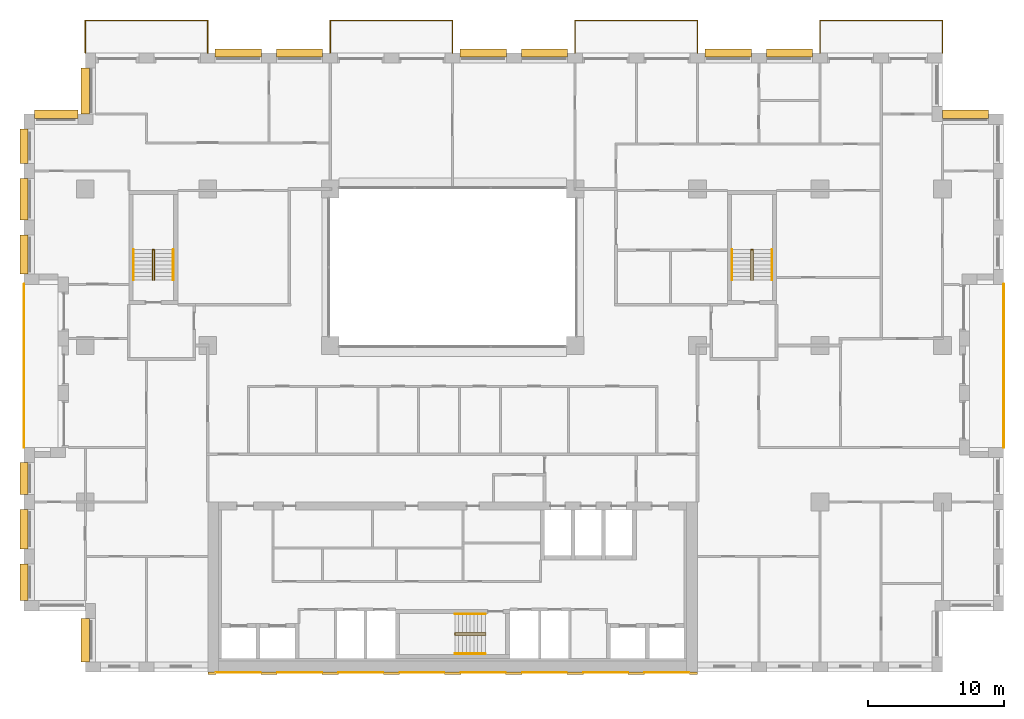
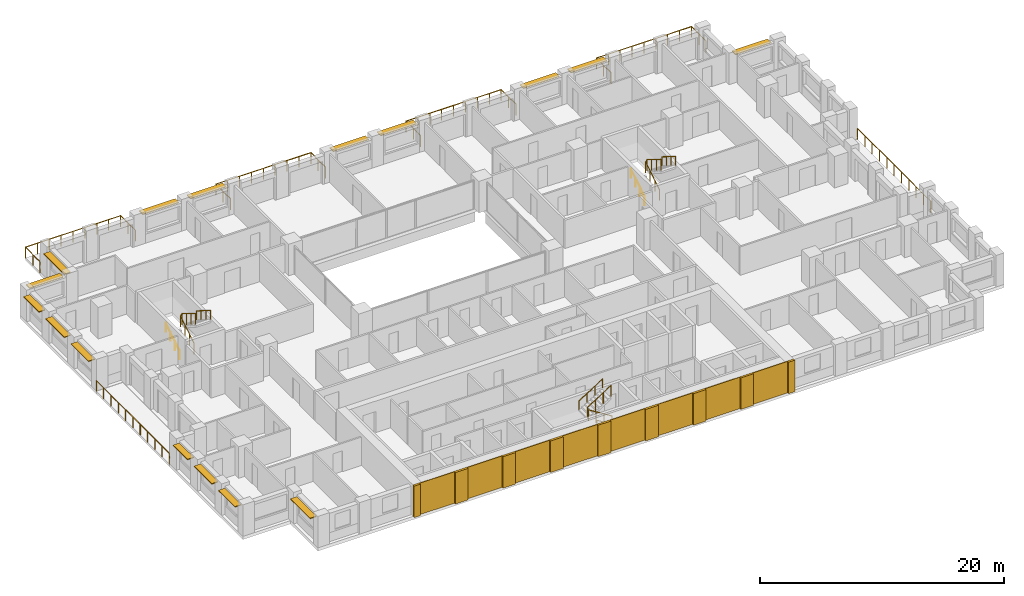
# One storey, part 16 of 16: 17 coverings, 16 shading devices, 15 railings.
"""IFC4 building model written with IfcOpenShell, lengths in metres."""

from ifc_helpers import new_model, si_unit, direction, frame, origin, origin_2d, place, context, subcontext, project, spatial, rectangle, circle, extrude, material, layer, layer_set, type_object, element, save


model = new_model("IFC4")

# Units and contexts
model_context = context("Model", 3, precision=1e-05, world=origin(), true_north=direction((0.0, 1.0)))
body_context = subcontext(model_context, "Body", "Model", "MODEL_VIEW")
ifc_project = project(units=[si_unit("LENGTHUNIT", "METRE"), si_unit("AREAUNIT", "SQUARE_METRE"), si_unit("VOLUMEUNIT", "CUBIC_METRE"), si_unit("PLANEANGLEUNIT", "RADIAN"), si_unit("MASSUNIT", "GRAM", prefix="KILO")], contexts=[model_context])

# Site, building, storey
site_placement = place(None, origin())
site = spatial("IfcSite", under=ifc_project, at=site_placement, CompositionType="ELEMENT")
building_placement = place(site_placement, origin())
building = spatial("IfcBuilding", under=site, at=building_placement, Name="Brigalow Station Residences", CompositionType="ELEMENT")
storey_placement = place(building_placement, frame((0.0, 0.0, 108.75)))
storey = spatial("IfcBuildingStorey", under=building, at=storey_placement, Name="L31", CompositionType="ELEMENT", Elevation=108.75)

# Railings
ifc_material_1 = material(Name="Stainless steel balustrade with laminated glass infill", Category="steel")
railing_type_1 = type_object("IfcRailingType", Name="BALCONY GUARD 1100", PredefinedType="GUARDRAIL", material=ifc_material_1)
railing_1_placement = place(storey_placement, frame((76.5, 16.5, -0.0400390625)))
element("IfcRailing", 1, at=railing_1_placement, inside=storey, type_object=railing_type_1, Name="L31/balcony-guard/1", PredefinedType="GUARDRAIL", context=body_context, shape_type="SweptSolid", body=[
    extrude(circle(Radius=0.02392578125, at=origin_2d()), frame((0.0, 0.0, 1.076171875), z_axis=(0.0, 1.0, 0.0), x_axis=(-1.0, 0.0, 0.0)), (0.0, 0.0, 1.0), 12.0),
    extrude(circle(Radius=0.02099609375, at=origin_2d()), origin(), (0.0, 0.0, 1.0), 1.052001953125),
    extrude(circle(Radius=0.02099609375, at=origin_2d()), frame((0.0, 1.199951171875, 0.0)), (0.0, 0.0, 1.0), 1.052001953125),
    extrude(circle(Radius=0.02099609375, at=origin_2d()), frame((0.0, 2.39990234375, 0.0)), (0.0, 0.0, 1.0), 1.052001953125),
    extrude(circle(Radius=0.02099609375, at=origin_2d()), frame((0.0, 3.60009765625, 0.0)), (0.0, 0.0, 1.0), 1.052001953125),
    extrude(circle(Radius=0.02099609375, at=origin_2d()), frame((0.0, 4.800048828125, 0.0)), (0.0, 0.0, 1.0), 1.052001953125),
    extrude(circle(Radius=0.02099609375, at=origin_2d()), frame((0.0, 6.0, 0.0)), (0.0, 0.0, 1.0), 1.052001953125),
    extrude(circle(Radius=0.02099609375, at=origin_2d()), frame((0.0, 7.199951171875, 0.0)), (0.0, 0.0, 1.0), 1.052001953125),
    extrude(circle(Radius=0.02099609375, at=origin_2d()), frame((0.0, 8.39990234375, 0.0)), (0.0, 0.0, 1.0), 1.052001953125),
    extrude(circle(Radius=0.02099609375, at=origin_2d()), frame((0.0, 9.60009765625, 0.0)), (0.0, 0.0, 1.0), 1.052001953125),
    extrude(circle(Radius=0.02099609375, at=origin_2d()), frame((0.0, 10.800048828125, 0.0)), (0.0, 0.0, 1.0), 1.052001953125),
    extrude(circle(Radius=0.02099609375, at=origin_2d()), frame((0.0, 12.0, 0.0)), (0.0, 0.0, 1.0), 1.052001953125),
])
railing_2_placement = place(storey_placement, frame((72.0, 45.5, -0.0400390625)))
element("IfcRailing", 2, at=railing_2_placement, inside=storey, type_object=railing_type_1, Name="L31/balcony-guard/2", PredefinedType="GUARDRAIL", context=body_context, shape_type="SweptSolid", body=[
    extrude(circle(Radius=0.02392578125, at=origin_2d()), frame((0.0, 0.0, 1.076171875), z_axis=(0.0, 1.0, 0.0), x_axis=(-1.0, 0.0, 0.0)), (0.0, 0.0, 1.0), 2.39990234375),
    extrude(circle(Radius=0.02392578125, at=origin_2d()), frame((0.0, 2.39990234375, 1.076171875), z_axis=(-1.0, 0.0, 0.0), x_axis=(0.0, -1.0, 0.0)), (0.0, 0.0, 1.0), 9.0),
    extrude(circle(Radius=0.02392578125, at=origin_2d()), frame((-9.0, 2.39990234375, 1.076171875), z_axis=(0.0, -1.0, 0.0), x_axis=(1.0, 0.0, 0.0)), (0.0, 0.0, 1.0), 2.39990234375),
    extrude(circle(Radius=0.02099609375, at=origin_2d()), origin(), (0.0, 0.0, 1.0), 1.052001953125),
    extrude(circle(Radius=0.02099609375, at=origin_2d()), frame((0.0, 1.199951171875, 0.0)), (0.0, 0.0, 1.0), 1.052001953125),
    extrude(circle(Radius=0.02099609375, at=origin_2d()), frame((0.0, 2.39990234375, 0.0)), (0.0, 0.0, 1.0), 1.052001953125),
    extrude(circle(Radius=0.02099609375, at=origin_2d()), frame((-1.125, 2.39990234375, 0.0)), (0.0, 0.0, 1.0), 1.052001953125),
    extrude(circle(Radius=0.02099609375, at=origin_2d()), frame((-2.25, 2.39990234375, 0.0)), (0.0, 0.0, 1.0), 1.052001953125),
    extrude(circle(Radius=0.02099609375, at=origin_2d()), frame((-3.375, 2.39990234375, 0.0)), (0.0, 0.0, 1.0), 1.052001953125),
    extrude(circle(Radius=0.02099609375, at=origin_2d()), frame((-4.5, 2.39990234375, 0.0)), (0.0, 0.0, 1.0), 1.052001953125),
    extrude(circle(Radius=0.02099609375, at=origin_2d()), frame((-5.625, 2.39990234375, 0.0)), (0.0, 0.0, 1.0), 1.052001953125),
    extrude(circle(Radius=0.02099609375, at=origin_2d()), frame((-6.75, 2.39990234375, 0.0)), (0.0, 0.0, 1.0), 1.052001953125),
    extrude(circle(Radius=0.02099609375, at=origin_2d()), frame((-7.875, 2.39990234375, 0.0)), (0.0, 0.0, 1.0), 1.052001953125),
    extrude(circle(Radius=0.02099609375, at=origin_2d()), frame((-9.0, 2.39990234375, 0.0)), (0.0, 0.0, 1.0), 1.052001953125),
    extrude(circle(Radius=0.02099609375, at=origin_2d()), frame((-9.0, 1.199951171875, 0.0)), (0.0, 0.0, 1.0), 1.052001953125),
    extrude(circle(Radius=0.02099609375, at=origin_2d()), frame((-9.0, 0.0, 0.0)), (0.0, 0.0, 1.0), 1.052001953125),
])
railing_3_placement = place(storey_placement, frame((54.0, 45.5, -0.0400390625)))
element("IfcRailing", 3, at=railing_3_placement, inside=storey, type_object=railing_type_1, Name="L31/balcony-guard/3", PredefinedType="GUARDRAIL", context=body_context, shape_type="SweptSolid", body=[
    extrude(circle(Radius=0.02392578125, at=origin_2d()), frame((0.0, 0.0, 1.076171875), z_axis=(0.0, 1.0, 0.0), x_axis=(-1.0, 0.0, 0.0)), (0.0, 0.0, 1.0), 2.39990234375),
    extrude(circle(Radius=0.02392578125, at=origin_2d()), frame((0.0, 2.39990234375, 1.076171875), z_axis=(-1.0, 0.0, 0.0), x_axis=(0.0, -1.0, 0.0)), (0.0, 0.0, 1.0), 9.0),
    extrude(circle(Radius=0.02392578125, at=origin_2d()), frame((-9.0, 2.39990234375, 1.076171875), z_axis=(0.0, -1.0, 0.0), x_axis=(1.0, 0.0, 0.0)), (0.0, 0.0, 1.0), 2.39990234375),
    extrude(circle(Radius=0.02099609375, at=origin_2d()), origin(), (0.0, 0.0, 1.0), 1.052001953125),
    extrude(circle(Radius=0.02099609375, at=origin_2d()), frame((0.0, 1.199951171875, 0.0)), (0.0, 0.0, 1.0), 1.052001953125),
    extrude(circle(Radius=0.02099609375, at=origin_2d()), frame((0.0, 2.39990234375, 0.0)), (0.0, 0.0, 1.0), 1.052001953125),
    extrude(circle(Radius=0.02099609375, at=origin_2d()), frame((-1.125, 2.39990234375, 0.0)), (0.0, 0.0, 1.0), 1.052001953125),
    extrude(circle(Radius=0.02099609375, at=origin_2d()), frame((-2.25, 2.39990234375, 0.0)), (0.0, 0.0, 1.0), 1.052001953125),
    extrude(circle(Radius=0.02099609375, at=origin_2d()), frame((-3.375, 2.39990234375, 0.0)), (0.0, 0.0, 1.0), 1.052001953125),
    extrude(circle(Radius=0.02099609375, at=origin_2d()), frame((-4.5, 2.39990234375, 0.0)), (0.0, 0.0, 1.0), 1.052001953125),
    extrude(circle(Radius=0.02099609375, at=origin_2d()), frame((-5.625, 2.39990234375, 0.0)), (0.0, 0.0, 1.0), 1.052001953125),
    extrude(circle(Radius=0.02099609375, at=origin_2d()), frame((-6.75, 2.39990234375, 0.0)), (0.0, 0.0, 1.0), 1.052001953125),
    extrude(circle(Radius=0.02099609375, at=origin_2d()), frame((-7.875, 2.39990234375, 0.0)), (0.0, 0.0, 1.0), 1.052001953125),
    extrude(circle(Radius=0.02099609375, at=origin_2d()), frame((-9.0, 2.39990234375, 0.0)), (0.0, 0.0, 1.0), 1.052001953125),
    extrude(circle(Radius=0.02099609375, at=origin_2d()), frame((-9.0, 1.199951171875, 0.0)), (0.0, 0.0, 1.0), 1.052001953125),
    extrude(circle(Radius=0.02099609375, at=origin_2d()), frame((-9.0, 0.0, 0.0)), (0.0, 0.0, 1.0), 1.052001953125),
])
railing_4_placement = place(storey_placement, frame((36.0, 45.5, -0.0400390625)))
element("IfcRailing", 4, at=railing_4_placement, inside=storey, type_object=railing_type_1, Name="L31/balcony-guard/4", PredefinedType="GUARDRAIL", context=body_context, shape_type="SweptSolid", body=[
    extrude(circle(Radius=0.02392578125, at=origin_2d()), frame((0.0, 0.0, 1.076171875), z_axis=(0.0, 1.0, 0.0), x_axis=(-1.0, 0.0, 0.0)), (0.0, 0.0, 1.0), 2.39990234375),
    extrude(circle(Radius=0.02392578125, at=origin_2d()), frame((0.0, 2.39990234375, 1.076171875), z_axis=(-1.0, 0.0, 0.0), x_axis=(0.0, -1.0, 0.0)), (0.0, 0.0, 1.0), 9.0),
    extrude(circle(Radius=0.02392578125, at=origin_2d()), frame((-9.0, 2.39990234375, 1.076171875), z_axis=(0.0, -1.0, 0.0), x_axis=(1.0, 0.0, 0.0)), (0.0, 0.0, 1.0), 2.39990234375),
    extrude(circle(Radius=0.02099609375, at=origin_2d()), origin(), (0.0, 0.0, 1.0), 1.052001953125),
    extrude(circle(Radius=0.02099609375, at=origin_2d()), frame((0.0, 1.199951171875, 0.0)), (0.0, 0.0, 1.0), 1.052001953125),
    extrude(circle(Radius=0.02099609375, at=origin_2d()), frame((0.0, 2.39990234375, 0.0)), (0.0, 0.0, 1.0), 1.052001953125),
    extrude(circle(Radius=0.02099609375, at=origin_2d()), frame((-1.125, 2.39990234375, 0.0)), (0.0, 0.0, 1.0), 1.052001953125),
    extrude(circle(Radius=0.02099609375, at=origin_2d()), frame((-2.25, 2.39990234375, 0.0)), (0.0, 0.0, 1.0), 1.052001953125),
    extrude(circle(Radius=0.02099609375, at=origin_2d()), frame((-3.375, 2.39990234375, 0.0)), (0.0, 0.0, 1.0), 1.052001953125),
    extrude(circle(Radius=0.02099609375, at=origin_2d()), frame((-4.5, 2.39990234375, 0.0)), (0.0, 0.0, 1.0), 1.052001953125),
    extrude(circle(Radius=0.02099609375, at=origin_2d()), frame((-5.625, 2.39990234375, 0.0)), (0.0, 0.0, 1.0), 1.052001953125),
    extrude(circle(Radius=0.02099609375, at=origin_2d()), frame((-6.75, 2.39990234375, 0.0)), (0.0, 0.0, 1.0), 1.052001953125),
    extrude(circle(Radius=0.02099609375, at=origin_2d()), frame((-7.875, 2.39990234375, 0.0)), (0.0, 0.0, 1.0), 1.052001953125),
    extrude(circle(Radius=0.02099609375, at=origin_2d()), frame((-9.0, 2.39990234375, 0.0)), (0.0, 0.0, 1.0), 1.052001953125),
    extrude(circle(Radius=0.02099609375, at=origin_2d()), frame((-9.0, 1.199951171875, 0.0)), (0.0, 0.0, 1.0), 1.052001953125),
    extrude(circle(Radius=0.02099609375, at=origin_2d()), frame((-9.0, 0.0, 0.0)), (0.0, 0.0, 1.0), 1.052001953125),
])
railing_5_placement = place(storey_placement, frame((18.0, 45.5, -0.0400390625)))
element("IfcRailing", 5, at=railing_5_placement, inside=storey, type_object=railing_type_1, Name="L31/balcony-guard/5", PredefinedType="GUARDRAIL", context=body_context, shape_type="SweptSolid", body=[
    extrude(circle(Radius=0.02392578125, at=origin_2d()), frame((0.0, 0.0, 1.076171875), z_axis=(0.0, 1.0, 0.0), x_axis=(-1.0, 0.0, 0.0)), (0.0, 0.0, 1.0), 2.39990234375),
    extrude(circle(Radius=0.02392578125, at=origin_2d()), frame((0.0, 2.39990234375, 1.076171875), z_axis=(-1.0, 0.0, 0.0), x_axis=(0.0, -1.0, 0.0)), (0.0, 0.0, 1.0), 9.0),
    extrude(circle(Radius=0.02392578125, at=origin_2d()), frame((-9.0, 2.39990234375, 1.076171875), z_axis=(0.0, -1.0, 0.0), x_axis=(1.0, 0.0, 0.0)), (0.0, 0.0, 1.0), 2.39990234375),
    extrude(circle(Radius=0.02099609375, at=origin_2d()), origin(), (0.0, 0.0, 1.0), 1.052001953125),
    extrude(circle(Radius=0.02099609375, at=origin_2d()), frame((0.0, 1.199951171875, 0.0)), (0.0, 0.0, 1.0), 1.052001953125),
    extrude(circle(Radius=0.02099609375, at=origin_2d()), frame((0.0, 2.39990234375, 0.0)), (0.0, 0.0, 1.0), 1.052001953125),
    extrude(circle(Radius=0.02099609375, at=origin_2d()), frame((-1.125, 2.39990234375, 0.0)), (0.0, 0.0, 1.0), 1.052001953125),
    extrude(circle(Radius=0.02099609375, at=origin_2d()), frame((-2.25, 2.39990234375, 0.0)), (0.0, 0.0, 1.0), 1.052001953125),
    extrude(circle(Radius=0.02099609375, at=origin_2d()), frame((-3.375, 2.39990234375, 0.0)), (0.0, 0.0, 1.0), 1.052001953125),
    extrude(circle(Radius=0.02099609375, at=origin_2d()), frame((-4.5, 2.39990234375, 0.0)), (0.0, 0.0, 1.0), 1.052001953125),
    extrude(circle(Radius=0.02099609375, at=origin_2d()), frame((-5.625, 2.39990234375, 0.0)), (0.0, 0.0, 1.0), 1.052001953125),
    extrude(circle(Radius=0.02099609375, at=origin_2d()), frame((-6.75, 2.39990234375, 0.0)), (0.0, 0.0, 1.0), 1.052001953125),
    extrude(circle(Radius=0.02099609375, at=origin_2d()), frame((-7.875, 2.39990234375, 0.0)), (0.0, 0.0, 1.0), 1.052001953125),
    extrude(circle(Radius=0.02099609375, at=origin_2d()), frame((-9.0, 2.39990234375, 0.0)), (0.0, 0.0, 1.0), 1.052001953125),
    extrude(circle(Radius=0.02099609375, at=origin_2d()), frame((-9.0, 1.199951171875, 0.0)), (0.0, 0.0, 1.0), 1.052001953125),
    extrude(circle(Radius=0.02099609375, at=origin_2d()), frame((-9.0, 0.0, 0.0)), (0.0, 0.0, 1.0), 1.052001953125),
])
railing_6_placement = place(storey_placement, frame((4.5, 28.5, -0.0400390625)))
element("IfcRailing", 6, at=railing_6_placement, inside=storey, type_object=railing_type_1, Name="L31/balcony-guard/6", PredefinedType="GUARDRAIL", context=body_context, shape_type="SweptSolid", body=[
    extrude(circle(Radius=0.02392578125, at=origin_2d()), frame((0.0, 0.0, 1.076171875), z_axis=(0.0, -1.0, 0.0), x_axis=(1.0, 0.0, 0.0)), (0.0, 0.0, 1.0), 12.0),
    extrude(circle(Radius=0.02099609375, at=origin_2d()), origin(), (0.0, 0.0, 1.0), 1.052001953125),
    extrude(circle(Radius=0.02099609375, at=origin_2d()), frame((0.0, -1.199951171875, 0.0)), (0.0, 0.0, 1.0), 1.052001953125),
    extrude(circle(Radius=0.02099609375, at=origin_2d()), frame((0.0, -2.39990234375, 0.0)), (0.0, 0.0, 1.0), 1.052001953125),
    extrude(circle(Radius=0.02099609375, at=origin_2d()), frame((0.0, -3.60009765625, 0.0)), (0.0, 0.0, 1.0), 1.052001953125),
    extrude(circle(Radius=0.02099609375, at=origin_2d()), frame((0.0, -4.800048828125, 0.0)), (0.0, 0.0, 1.0), 1.052001953125),
    extrude(circle(Radius=0.02099609375, at=origin_2d()), frame((0.0, -6.0, 0.0)), (0.0, 0.0, 1.0), 1.052001953125),
    extrude(circle(Radius=0.02099609375, at=origin_2d()), frame((0.0, -7.199951171875, 0.0)), (0.0, 0.0, 1.0), 1.052001953125),
    extrude(circle(Radius=0.02099609375, at=origin_2d()), frame((0.0, -8.39990234375, 0.0)), (0.0, 0.0, 1.0), 1.052001953125),
    extrude(circle(Radius=0.02099609375, at=origin_2d()), frame((0.0, -9.60009765625, 0.0)), (0.0, 0.0, 1.0), 1.052001953125),
    extrude(circle(Radius=0.02099609375, at=origin_2d()), frame((0.0, -10.800048828125, 0.0)), (0.0, 0.0, 1.0), 1.052001953125),
    extrude(circle(Radius=0.02099609375, at=origin_2d()), frame((0.0, -12.0, 0.0)), (0.0, 0.0, 1.0), 1.052001953125),
])

# Coverings
ifc_material_2 = material(Name="Clay brick masonry", Category="masonry")
ifc_layer_1 = layer(ifc_material_2, 0.06005859375)
ifc_layer_set_1 = layer_set([ifc_layer_1], Name="BRICK PANEL FACING 60")
covering_type_1 = type_object("IfcCoveringType", Name="BRICK PANEL FACING 60", PredefinedType="CLADDING", material=ifc_layer_set_1)
for number, where, z_axis, x_axis, name in (
    (7, (20.25, -0.030029296875, 0.0), (0.0, 0.0, 1.0), (1.0, 0.0, 0.0), "L31/rear-facing/panel-1"),
    (8, (24.75, -0.030029296875, 0.0), (0.0, 0.0, 1.0), (1.0, 0.0, 0.0), "L31/rear-facing/panel-2"),
    (9, (29.25, -0.030029296875, 0.0), (0.0, 0.0, 1.0), (1.0, 0.0, 0.0), "L31/rear-facing/panel-3"),
    (10, (33.75, -0.030029296875, 0.0), (0.0, 0.0, 1.0), (1.0, 0.0, 0.0), "L31/rear-facing/panel-4"),
    (11, (38.25, -0.030029296875, 0.0), (0.0, 0.0, 1.0), (1.0, 0.0, 0.0), "L31/rear-facing/panel-5"),
    (12, (42.75, -0.030029296875, 0.0), (0.0, 0.0, 1.0), (1.0, 0.0, 0.0), "L31/rear-facing/panel-6"),
    (13, (47.25, -0.030029296875, 0.0), (0.0, 0.0, 1.0), (1.0, 0.0, 0.0), "L31/rear-facing/panel-7"),
    (14, (51.75, -0.030029296875, 0.0), (0.0, 0.0, 1.0), (1.0, 0.0, 0.0), "L31/rear-facing/panel-8"),
):
    element("IfcCovering", number, at=place(storey_placement, frame(where, z_axis=z_axis, x_axis=x_axis)), inside=storey, type_object=covering_type_1, Name=name, PredefinedType="CLADDING", context=body_context, shape_type="SweptSolid", body=[
        extrude(rectangle(XDim=3.300048828125, YDim=0.06005859375, at=origin_2d()), origin(), (0.0, 0.0, 1.0), 3.14990234375),
    ])
ifc_material_3 = material(Name="Clay brick masonry", Category="masonry")
ifc_layer_2 = layer(ifc_material_3, 0.199951171875)
ifc_layer_set_2 = layer_set([ifc_layer_2], Name="BRICK PIER FACING 200")
covering_type_2 = type_object("IfcCoveringType", Name="BRICK PIER FACING 200", PredefinedType="CLADDING", material=ifc_layer_set_2)
covering_1_placement = place(storey_placement, frame((18.300048828125, -0.10009765625, 0.0), z_axis=(0.0, 0.0, 1.0), x_axis=(1.0, 0.0, 0.0)))
element("IfcCovering", 15, at=covering_1_placement, inside=storey, type_object=covering_type_2, Name="L31/rear-facing/pier-1", PredefinedType="CLADDING", context=body_context, shape_type="SweptSolid", body=[
    extrude(rectangle(XDim=0.60009765625, YDim=0.199951171875, at=origin_2d()), origin(), (0.0, 0.0, 1.0), 3.14990234375),
])
for number, where, z_axis, x_axis, name in (
    (16, (22.5, -0.10009765625, 0.0), (0.0, 0.0, 1.0), (1.0, 0.0, 0.0), "L31/rear-facing/pier-2"),
    (17, (27.0, -0.10009765625, 0.0), (0.0, 0.0, 1.0), (1.0, 0.0, 0.0), "L31/rear-facing/pier-3"),
    (18, (31.5, -0.10009765625, 0.0), (0.0, 0.0, 1.0), (1.0, 0.0, 0.0), "L31/rear-facing/pier-4"),
    (19, (36.0, -0.10009765625, 0.0), (0.0, 0.0, 1.0), (1.0, 0.0, 0.0), "L31/rear-facing/pier-5"),
    (20, (40.5, -0.10009765625, 0.0), (0.0, 0.0, 1.0), (1.0, 0.0, 0.0), "L31/rear-facing/pier-6"),
    (21, (45.0, -0.10009765625, 0.0), (0.0, 0.0, 1.0), (1.0, 0.0, 0.0), "L31/rear-facing/pier-7"),
    (22, (49.5, -0.10009765625, 0.0), (0.0, 0.0, 1.0), (1.0, 0.0, 0.0), "L31/rear-facing/pier-8"),
):
    element("IfcCovering", number, at=place(storey_placement, frame(where, z_axis=z_axis, x_axis=x_axis)), inside=storey, type_object=covering_type_2, Name=name, PredefinedType="CLADDING", context=body_context, shape_type="SweptSolid", body=[
        extrude(rectangle(XDim=1.199951171875, YDim=0.199951171875, at=origin_2d()), origin(), (0.0, 0.0, 1.0), 3.14990234375),
    ])
covering_2_placement = place(storey_placement, frame((53.699951171875, -0.10009765625, 0.0), z_axis=(0.0, 0.0, 1.0), x_axis=(1.0, 0.0, 0.0)))
element("IfcCovering", 23, at=covering_2_placement, inside=storey, type_object=covering_type_2, Name="L31/rear-facing/pier-9", PredefinedType="CLADDING", context=body_context, shape_type="SweptSolid", body=[
    extrude(rectangle(XDim=0.60009765625, YDim=0.199951171875, at=origin_2d()), origin(), (0.0, 0.0, 1.0), 3.14990234375),
])

# Railings
ifc_material_4 = material(Name="Stainless steel balustrade", Category="steel")
railing_type_2 = type_object("IfcRailingType", Name="STAIR GUARD 1100", PredefinedType="GUARDRAIL", material=ifc_material_4)
railing_7_placement = place(storey_placement, frame((38.39990234375, 2.72998046875, 0.175048828125)))
element("IfcRailing", 24, at=railing_7_placement, inside=storey, type_object=railing_type_2, Name="GUARD GR-2", PredefinedType="GUARDRAIL", context=body_context, shape_type="SweptSolid", body=[
    extrude(circle(Radius=0.02392578125, at=origin_2d()), frame((0.0, 0.0, 1.076171875), z_axis=(-0.848013881152, 0.0, 0.529974015752), x_axis=(0.0, -1.0, 0.0)), (0.0, 0.0, 1.0), 2.641357421875),
    extrude(circle(Radius=0.02392578125, at=origin_2d()), frame((-2.239990234375, 0.0, 2.47607421875), z_axis=(0.0, 0.624960567888, 0.780656319122), x_axis=(-1.0, 0.0, 0.0)), (0.0, 0.0, 1.0), 0.22412109375),
    extrude(circle(Radius=0.02392578125, at=origin_2d()), frame((-2.239990234375, 0.14013671875, 2.65087890625), z_axis=(0.848013881152, 0.0, 0.529974015752), x_axis=(0.0, 1.0, 0.0)), (0.0, 0.0, 1.0), 2.641357421875),
    extrude(circle(Radius=0.02099609375, at=origin_2d()), origin(), (0.0, 0.0, 1.0), 1.052001953125),
    extrude(circle(Radius=0.02099609375, at=origin_2d()), frame((-0.74658203125, 0.0, 0.466552734375)), (0.0, 0.0, 1.0), 1.052001953125),
    extrude(circle(Radius=0.02099609375, at=origin_2d()), frame((-1.493408203125, 0.0, 0.933349609375)), (0.0, 0.0, 1.0), 1.052001953125),
    extrude(circle(Radius=0.02099609375, at=origin_2d()), frame((-2.239990234375, 0.0, 1.39990234375)), (0.0, 0.0, 1.0), 1.052001953125),
    extrude(circle(Radius=0.02099609375, at=origin_2d()), frame((-2.239990234375, 0.14013671875, 1.574951171875)), (0.0, 0.0, 1.0), 1.052001953125),
    extrude(circle(Radius=0.02099609375, at=origin_2d()), frame((-1.493408203125, 0.14013671875, 2.04150390625)), (0.0, 0.0, 1.0), 1.052001953125),
    extrude(circle(Radius=0.02099609375, at=origin_2d()), frame((-0.74658203125, 0.14013671875, 2.50830078125)), (0.0, 0.0, 1.0), 1.052001953125),
    extrude(circle(Radius=0.02099609375, at=origin_2d()), frame((0.0, 0.14013671875, 2.974853515625)), (0.0, 0.0, 1.0), 1.052001953125),
])
for number, where, name in (
    (25, (13.929931640625, 28.800048828125, 0.175048828125), "GUARD GR-1"),
    (26, (57.929931640625, 28.800048828125, 0.175048828125), "GUARD GR-3"),
):
    element("IfcRailing", number, at=place(storey_placement, frame(where)), inside=storey, type_object=railing_type_2, Name=name, PredefinedType="GUARDRAIL", context=body_context, shape_type="SweptSolid", body=[
        extrude(circle(Radius=0.02392578125, at=origin_2d()), frame((0.0, 0.0, 1.076171875), z_axis=(0.0, 0.848013881152, 0.529974015752), x_axis=(-1.0, 0.0, 0.0)), (0.0, 0.0, 1.0), 2.641357421875),
        extrude(circle(Radius=0.02392578125, at=origin_2d()), frame((0.0, 2.239990234375, 2.47607421875), z_axis=(0.624960567888, 0.0, 0.780656319122), x_axis=(0.0, 1.0, 0.0)), (0.0, 0.0, 1.0), 0.22412109375),
        extrude(circle(Radius=0.02392578125, at=origin_2d()), frame((0.14013671875, 2.239990234375, 2.65087890625), z_axis=(0.0, -0.848013881152, 0.529974015752), x_axis=(1.0, 0.0, 0.0)), (0.0, 0.0, 1.0), 2.641357421875),
        extrude(circle(Radius=0.02099609375, at=origin_2d()), origin(), (0.0, 0.0, 1.0), 1.052001953125),
        extrude(circle(Radius=0.02099609375, at=origin_2d()), frame((0.0, 0.74658203125, 0.466552734375)), (0.0, 0.0, 1.0), 1.052001953125),
        extrude(circle(Radius=0.02099609375, at=origin_2d()), frame((0.0, 1.493408203125, 0.933349609375)), (0.0, 0.0, 1.0), 1.052001953125),
        extrude(circle(Radius=0.02099609375, at=origin_2d()), frame((0.0, 2.239990234375, 1.39990234375)), (0.0, 0.0, 1.0), 1.052001953125),
        extrude(circle(Radius=0.02099609375, at=origin_2d()), frame((0.14013671875, 2.239990234375, 1.574951171875)), (0.0, 0.0, 1.0), 1.052001953125),
        extrude(circle(Radius=0.02099609375, at=origin_2d()), frame((0.14013671875, 1.493408203125, 2.04150390625)), (0.0, 0.0, 1.0), 1.052001953125),
        extrude(circle(Radius=0.02099609375, at=origin_2d()), frame((0.14013671875, 0.74658203125, 2.50830078125)), (0.0, 0.0, 1.0), 1.052001953125),
        extrude(circle(Radius=0.02099609375, at=origin_2d()), frame((0.14013671875, 0.0, 2.974853515625)), (0.0, 0.0, 1.0), 1.052001953125),
    ])
ifc_material_5 = material(Name="Stainless steel handrail", Category="steel")
railing_type_3 = type_object("IfcRailingType", Name="STAIR HANDRAIL 900", PredefinedType="HANDRAIL", material=ifc_material_5)
railing_8_placement = place(storey_placement, frame((38.39990234375, 1.340087890625, 0.175048828125)))
element("IfcRailing", 27, at=railing_8_placement, inside=storey, type_object=railing_type_3, Name="HANDRAIL HR-21", PredefinedType="HANDRAIL", context=body_context, shape_type="SweptSolid", body=[
    extrude(circle(Radius=0.02392578125, at=origin_2d()), frame((0.0, 0.0, 0.8759765625), z_axis=(-0.848013881152, 0.0, 0.529974015752), x_axis=(0.0, -1.0, 0.0)), (0.0, 0.0, 1.0), 2.641357421875),
    extrude(circle(Radius=0.02099609375, at=origin_2d()), origin(), (0.0, 0.0, 1.0), 0.851806640625),
    extrude(circle(Radius=0.02099609375, at=origin_2d()), frame((-0.74658203125, 0.0, 0.466552734375)), (0.0, 0.0, 1.0), 0.851806640625),
    extrude(circle(Radius=0.02099609375, at=origin_2d()), frame((-1.493408203125, 0.0, 0.933349609375)), (0.0, 0.0, 1.0), 0.851806640625),
    extrude(circle(Radius=0.02099609375, at=origin_2d()), frame((-2.239990234375, 0.0, 1.39990234375)), (0.0, 0.0, 1.0), 0.851806640625),
])
railing_9_placement = place(storey_placement, frame((36.159912109375, 4.260009765625, 1.75)))
element("IfcRailing", 28, at=railing_9_placement, inside=storey, type_object=railing_type_3, Name="HANDRAIL HR-22", PredefinedType="HANDRAIL", context=body_context, shape_type="SweptSolid", body=[
    extrude(circle(Radius=0.02392578125, at=origin_2d()), frame((0.0, 0.0, 0.8759765625), z_axis=(0.848013881152, 0.0, 0.529974015752), x_axis=(0.0, 1.0, 0.0)), (0.0, 0.0, 1.0), 2.641357421875),
    extrude(circle(Radius=0.02099609375, at=origin_2d()), origin(), (0.0, 0.0, 1.0), 0.851806640625),
    extrude(circle(Radius=0.02099609375, at=origin_2d()), frame((0.74658203125, 0.0, 0.466552734375)), (0.0, 0.0, 1.0), 0.851806640625),
    extrude(circle(Radius=0.02099609375, at=origin_2d()), frame((1.493408203125, 0.0, 0.933349609375)), (0.0, 0.0, 1.0), 0.851806640625),
    extrude(circle(Radius=0.02099609375, at=origin_2d()), frame((2.239990234375, 0.0, 1.39990234375)), (0.0, 0.0, 1.0), 0.851806640625),
])
railing_10_placement = place(storey_placement, frame((12.5400390625, 28.800048828125, 0.175048828125)))
element("IfcRailing", 29, at=railing_10_placement, inside=storey, type_object=railing_type_3, Name="HANDRAIL HR-11", PredefinedType="HANDRAIL", context=body_context, shape_type="SweptSolid", body=[
    extrude(circle(Radius=0.02392578125, at=origin_2d()), frame((0.0, 0.0, 0.8759765625), z_axis=(0.0, 0.848013881152, 0.529974015752), x_axis=(-1.0, 0.0, 0.0)), (0.0, 0.0, 1.0), 2.641357421875),
    extrude(circle(Radius=0.02099609375, at=origin_2d()), origin(), (0.0, 0.0, 1.0), 0.851806640625),
    extrude(circle(Radius=0.02099609375, at=origin_2d()), frame((0.0, 0.74658203125, 0.466552734375)), (0.0, 0.0, 1.0), 0.851806640625),
    extrude(circle(Radius=0.02099609375, at=origin_2d()), frame((0.0, 1.493408203125, 0.933349609375)), (0.0, 0.0, 1.0), 0.851806640625),
    extrude(circle(Radius=0.02099609375, at=origin_2d()), frame((0.0, 2.239990234375, 1.39990234375)), (0.0, 0.0, 1.0), 0.851806640625),
])
railing_11_placement = place(storey_placement, frame((15.4599609375, 31.0400390625, 1.75)))
element("IfcRailing", 30, at=railing_11_placement, inside=storey, type_object=railing_type_3, Name="HANDRAIL HR-12", PredefinedType="HANDRAIL", context=body_context, shape_type="SweptSolid", body=[
    extrude(circle(Radius=0.02392578125, at=origin_2d()), frame((0.0, 0.0, 0.8759765625), z_axis=(0.0, -0.848013881152, 0.529974015752), x_axis=(1.0, 0.0, 0.0)), (0.0, 0.0, 1.0), 2.641357421875),
    extrude(circle(Radius=0.02099609375, at=origin_2d()), origin(), (0.0, 0.0, 1.0), 0.851806640625),
    extrude(circle(Radius=0.02099609375, at=origin_2d()), frame((0.0, -0.74658203125, 0.466552734375)), (0.0, 0.0, 1.0), 0.851806640625),
    extrude(circle(Radius=0.02099609375, at=origin_2d()), frame((0.0, -1.493408203125, 0.933349609375)), (0.0, 0.0, 1.0), 0.851806640625),
    extrude(circle(Radius=0.02099609375, at=origin_2d()), frame((0.0, -2.239990234375, 1.39990234375)), (0.0, 0.0, 1.0), 0.851806640625),
])
railing_12_placement = place(storey_placement, frame((56.5400390625, 28.800048828125, 0.175048828125)))
element("IfcRailing", 31, at=railing_12_placement, inside=storey, type_object=railing_type_3, Name="HANDRAIL HR-31", PredefinedType="HANDRAIL", context=body_context, shape_type="SweptSolid", body=[
    extrude(circle(Radius=0.02392578125, at=origin_2d()), frame((0.0, 0.0, 0.8759765625), z_axis=(0.0, 0.848013881152, 0.529974015752), x_axis=(-1.0, 0.0, 0.0)), (0.0, 0.0, 1.0), 2.641357421875),
    extrude(circle(Radius=0.02099609375, at=origin_2d()), origin(), (0.0, 0.0, 1.0), 0.851806640625),
    extrude(circle(Radius=0.02099609375, at=origin_2d()), frame((0.0, 0.74658203125, 0.466552734375)), (0.0, 0.0, 1.0), 0.851806640625),
    extrude(circle(Radius=0.02099609375, at=origin_2d()), frame((0.0, 1.493408203125, 0.933349609375)), (0.0, 0.0, 1.0), 0.851806640625),
    extrude(circle(Radius=0.02099609375, at=origin_2d()), frame((0.0, 2.239990234375, 1.39990234375)), (0.0, 0.0, 1.0), 0.851806640625),
])
railing_13_placement = place(storey_placement, frame((59.4599609375, 31.0400390625, 1.75)))
element("IfcRailing", 32, at=railing_13_placement, inside=storey, type_object=railing_type_3, Name="HANDRAIL HR-32", PredefinedType="HANDRAIL", context=body_context, shape_type="SweptSolid", body=[
    extrude(circle(Radius=0.02392578125, at=origin_2d()), frame((0.0, 0.0, 0.8759765625), z_axis=(0.0, -0.848013881152, 0.529974015752), x_axis=(1.0, 0.0, 0.0)), (0.0, 0.0, 1.0), 2.641357421875),
    extrude(circle(Radius=0.02099609375, at=origin_2d()), origin(), (0.0, 0.0, 1.0), 0.851806640625),
    extrude(circle(Radius=0.02099609375, at=origin_2d()), frame((0.0, -0.74658203125, 0.466552734375)), (0.0, 0.0, 1.0), 0.851806640625),
    extrude(circle(Radius=0.02099609375, at=origin_2d()), frame((0.0, -1.493408203125, 0.933349609375)), (0.0, 0.0, 1.0), 0.851806640625),
    extrude(circle(Radius=0.02099609375, at=origin_2d()), frame((0.0, -2.239990234375, 1.39990234375)), (0.0, 0.0, 1.0), 0.851806640625),
])

# Shading devices
ifc_material_6 = material(Name="Powder-coated extruded aluminium blade", Category="aluminium")
ifc_layer_3 = layer(ifc_material_6, 0.080078125)
ifc_layer_set_3 = layer_set([ifc_layer_3], Name="SUNSHADE BLADE 600x80")
shading_device_type = type_object("IfcShadingDeviceType", Name="SUNSHADE BLADE 600x80", PredefinedType="JALOUSIE", material=ifc_layer_set_3)
for number, where, z_axis, x_axis, name in (
    (33, (73.699951171875, 41.0, 2.550048828125), (0.0, 0.0, 1.0), (-1.0, 0.0, 0.0), "L31/blade/W-L31-21"),
    (34, (60.75, 45.5, 2.550048828125), (0.0, 0.0, 1.0), (-1.0, 0.0, 0.0), "L31/blade/W-L31-25"),
    (35, (56.25, 45.5, 2.550048828125), (0.0, 0.0, 1.0), (-1.0, 0.0, 0.0), "L31/blade/W-L31-26"),
    (36, (42.75, 45.5, 2.550048828125), (0.0, 0.0, 1.0), (-1.0, 0.0, 0.0), "L31/blade/W-L31-29"),
    (37, (38.25, 45.5, 2.550048828125), (0.0, 0.0, 1.0), (-1.0, 0.0, 0.0), "L31/blade/W-L31-30"),
    (38, (24.75, 45.5, 2.550048828125), (0.0, 0.0, 1.0), (-1.0, 0.0, 0.0), "L31/blade/W-L31-33"),
    (39, (20.25, 45.5, 2.550048828125), (0.0, 0.0, 1.0), (-1.0, 0.0, 0.0), "L31/blade/W-L31-34"),
    (40, (9.0, 42.699951171875, 2.550048828125), (0.0, 0.0, 1.0), (0.0, -1.0, 0.0), "L31/blade/W-L31-37"),
):
    element("IfcShadingDevice", number, at=place(storey_placement, frame(where, z_axis=z_axis, x_axis=x_axis)), inside=storey, type_object=shading_device_type, Name=name, PredefinedType="JALOUSIE", context=body_context, shape_type="SweptSolid", body=[
        extrude(rectangle(XDim=3.39990234375, YDim=0.60009765625, at=origin_2d()), origin(), (0.0, 0.0, 1.0), 0.080078125),
    ])
shading_device_1_placement = place(storey_placement, frame((6.85009765625, 41.0, 2.550048828125), z_axis=(0.0, 0.0, 1.0), x_axis=(-1.0, 0.0, 0.0)))
element("IfcShadingDevice", 41, at=shading_device_1_placement, inside=storey, type_object=shading_device_type, Name="L31/blade/W-L31-38", PredefinedType="JALOUSIE", context=body_context, shape_type="SweptSolid", body=[
    extrude(rectangle(XDim=3.199951171875, YDim=0.60009765625, at=origin_2d()), origin(), (0.0, 0.0, 1.0), 0.080078125),
])
shading_device_2_placement = place(storey_placement, frame((4.5, 38.6416015625, 2.550048828125), z_axis=(0.0, 0.0, 1.0), x_axis=(0.0, -1.0, 0.0)))
element("IfcShadingDevice", 42, at=shading_device_2_placement, inside=storey, type_object=shading_device_type, Name="L31/blade/W-L31-39", PredefinedType="JALOUSIE", context=body_context, shape_type="SweptSolid", body=[
    extrude(rectangle(XDim=2.51708984375, YDim=0.60009765625, at=origin_2d()), origin(), (0.0, 0.0, 1.0), 0.080078125),
])
shading_device_3_placement = place(storey_placement, frame((4.5, 34.75, 2.550048828125), z_axis=(0.0, 0.0, 1.0), x_axis=(0.0, -1.0, 0.0)))
element("IfcShadingDevice", 43, at=shading_device_3_placement, inside=storey, type_object=shading_device_type, Name="L31/blade/W-L31-40", PredefinedType="JALOUSIE", context=body_context, shape_type="SweptSolid", body=[
    extrude(rectangle(XDim=3.06591796875, YDim=0.60009765625, at=origin_2d()), origin(), (0.0, 0.0, 1.0), 0.080078125),
])
shading_device_4_placement = place(storey_placement, frame((4.5, 30.68359375, 2.550048828125), z_axis=(0.0, 0.0, 1.0), x_axis=(0.0, -1.0, 0.0)))
element("IfcShadingDevice", 44, at=shading_device_4_placement, inside=storey, type_object=shading_device_type, Name="L31/blade/W-L31-41", PredefinedType="JALOUSIE", context=body_context, shape_type="SweptSolid", body=[
    extrude(rectangle(XDim=2.866943359375, YDim=0.60009765625, at=origin_2d()), origin(), (0.0, 0.0, 1.0), 0.080078125),
])
shading_device_5_placement = place(storey_placement, frame((4.5, 14.22509765625, 2.550048828125), z_axis=(0.0, 0.0, 1.0), x_axis=(0.0, -1.0, 0.0)))
element("IfcShadingDevice", 45, at=shading_device_5_placement, inside=storey, type_object=shading_device_type, Name="L31/blade/W-L31-47", PredefinedType="JALOUSIE", context=body_context, shape_type="SweptSolid", body=[
    extrude(rectangle(XDim=2.35009765625, YDim=0.60009765625, at=origin_2d()), origin(), (0.0, 0.0, 1.0), 0.080078125),
])
shading_device_6_placement = place(storey_placement, frame((4.5, 10.5, 2.550048828125), z_axis=(0.0, 0.0, 1.0), x_axis=(0.0, -1.0, 0.0)))
element("IfcShadingDevice", 46, at=shading_device_6_placement, inside=storey, type_object=shading_device_type, Name="L31/blade/W-L31-48", PredefinedType="JALOUSIE", context=body_context, shape_type="SweptSolid", body=[
    extrude(rectangle(XDim=2.89990234375, YDim=0.60009765625, at=origin_2d()), origin(), (0.0, 0.0, 1.0), 0.080078125),
])
shading_device_7_placement = place(storey_placement, frame((4.5, 6.60009765625, 2.550048828125), z_axis=(0.0, 0.0, 1.0), x_axis=(0.0, -1.0, 0.0)))
element("IfcShadingDevice", 47, at=shading_device_7_placement, inside=storey, type_object=shading_device_type, Name="L31/blade/W-L31-49", PredefinedType="JALOUSIE", context=body_context, shape_type="SweptSolid", body=[
    extrude(rectangle(XDim=2.699951171875, YDim=0.60009765625, at=origin_2d()), origin(), (0.0, 0.0, 1.0), 0.080078125),
])
shading_device_8_placement = place(storey_placement, frame((9.0, 2.35009765625, 2.550048828125), z_axis=(0.0, 0.0, 1.0), x_axis=(0.0, -1.0, 0.0)))
element("IfcShadingDevice", 48, at=shading_device_8_placement, inside=storey, type_object=shading_device_type, Name="L31/blade/W-L31-51", PredefinedType="JALOUSIE", context=body_context, shape_type="SweptSolid", body=[
    extrude(rectangle(XDim=3.199951171875, YDim=0.60009765625, at=origin_2d()), origin(), (0.0, 0.0, 1.0), 0.080078125),
])

save(model, "model.ifc")
